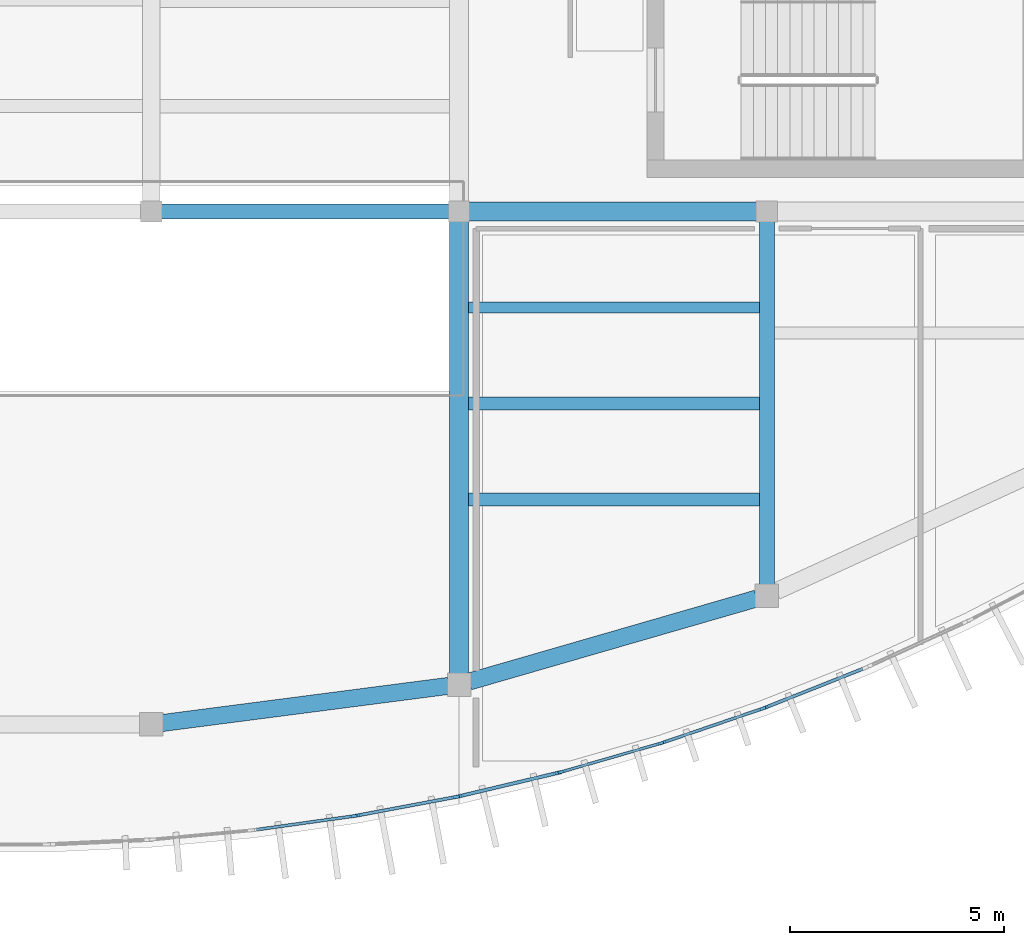
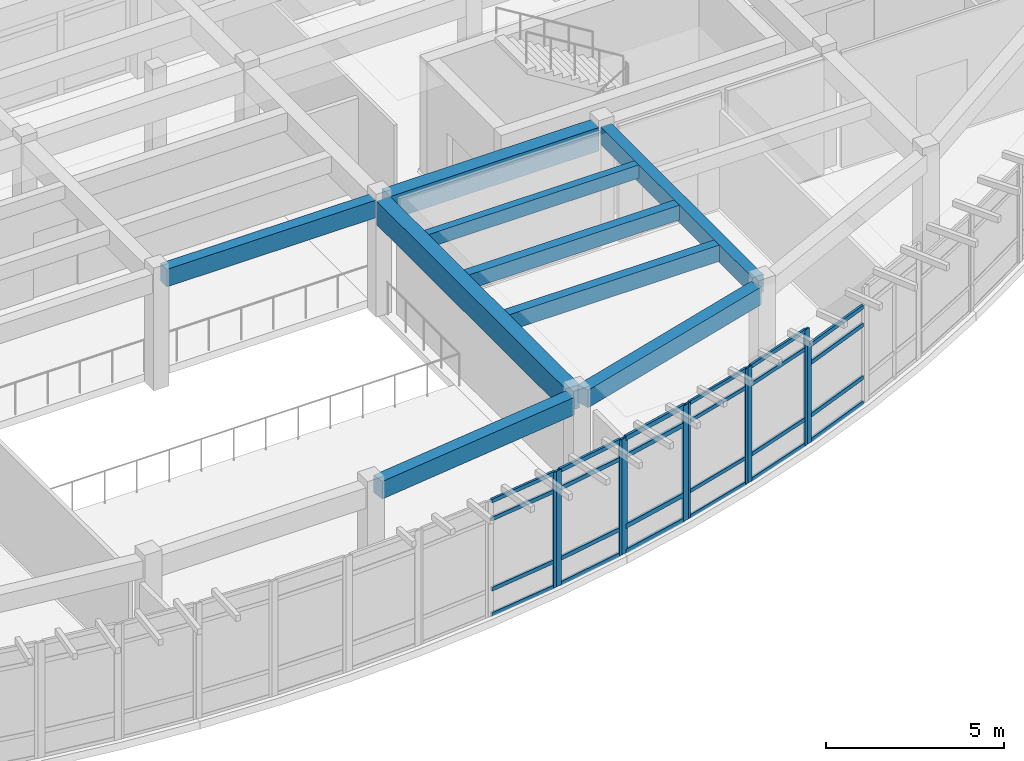
# One storey, part 23 of 60: 34 members, 9 beams, 6 elements without a shape of their own.
"""IFC4 building model written with IfcOpenShell, lengths in metres."""

import ifcopenshell
import ifcopenshell.guid

model = None  # the IFC model being written
_history = None  # IfcOwnerHistory: only IFC2X3 demands one
_inside = {}  # id of a spatial element -> (the spatial element, [elements in it])
_under = {}  # id of a project, library or spatial element -> (it, [spatial elements below it])
_declared = {}  # id of a project -> (the project, [libraries it declares])
_typed = {}  # id of a type object -> (the type object, [elements of that type])
_made_of = {}  # id of a material, layer set ... -> (it, [elements and type objects made of it])


def new_model(schema):
    """Start an empty IFC model of exactly this schema.

    Asked for "IFC4X3", IfcOpenShell would pick the latest addendum, in which some entities
    have other attributes; the version numbers below select the first issue.
    IFC2X3 requires an IfcOwnerHistory on every rooted entity: one is made here for all.
    """
    global model, _history
    if schema == "IFC4X3":
        model = ifcopenshell.file(schema_version=(4, 3, 0, 0))
    else:
        model = ifcopenshell.file(schema=schema)
    _inside.clear()
    _under.clear()
    _declared.clear()
    _typed.clear()
    _made_of.clear()
    _history = None
    if model.schema == "IFC2X3":
        org = make("IfcOrganization", Name="unknown")
        user = make(
            "IfcPersonAndOrganization",
            ThePerson=make("IfcPerson", FamilyName="unknown"),
            TheOrganization=org,
        )
        app = make(
            "IfcApplication",
            ApplicationDeveloper=org,
            Version="unknown",
            ApplicationFullName="unknown",
            ApplicationIdentifier="unknown",
        )
        _history = make(
            "IfcOwnerHistory",
            OwningUser=user,
            OwningApplication=app,
            ChangeAction="ADDED",
            CreationDate=0,
        )
    return model


def make(cls, **values):
    """One entity of the class cls with the attributes given. An attribute that is None is left unset."""
    return model.create_entity(
        cls, **{name: value for name, value in values.items() if value is not None}
    )


def rooted(cls, **values):
    """An entity with a GlobalId (a new one), such as an element, a storey or a relation."""
    return make(cls, GlobalId=ifcopenshell.guid.new(), OwnerHistory=_history, **values)


def si_unit(unit_type, name, prefix=None):
    """IfcSIUnit, for example si_unit("LENGTHUNIT", "METRE", prefix="MILLI")."""
    return make("IfcSIUnit", UnitType=unit_type, Prefix=prefix, Name=name)


def assignment(units):
    """IfcUnitAssignment: the units of a project."""
    return None if units is None else make("IfcUnitAssignment", Units=units)


def point(xyz):
    """IfcCartesianPoint."""
    return None if xyz is None else make("IfcCartesianPoint", Coordinates=xyz)


def direction(xyz):
    """IfcDirection."""
    return None if xyz is None else make("IfcDirection", DirectionRatios=xyz)


def frame(location, z_axis=None, x_axis=None):
    """IfcAxis2Placement3D, a coordinate frame: its origin and axes. An axis left out is left unset."""
    return make(
        "IfcAxis2Placement3D",
        Location=point(location),
        Axis=direction(z_axis),
        RefDirection=direction(x_axis),
    )


def frame_2d(location, x_axis=None):
    """IfcAxis2Placement2D, a coordinate frame in the plane: its origin and x axis."""
    return make(
        "IfcAxis2Placement2D", Location=point(location), RefDirection=direction(x_axis)
    )


def origin():
    """The frame at (0, 0, 0) with its axes left unset."""
    return frame((0.0, 0.0, 0.0))


def origin_2d():
    """The frame at (0, 0) in the plane with its x axis left unset."""
    return frame_2d((0.0, 0.0))


def place(relative_to, where):
    """IfcLocalPlacement: puts the frame where relative to a parent placement (None: the world)."""
    return make(
        "IfcLocalPlacement", PlacementRelTo=relative_to, RelativePlacement=where
    )


def context(
    kind, dimensions, precision=None, world=None, true_north=None, identifier=None
):
    """IfcGeometricRepresentationContext, for example the 3D "Model" context."""
    return make(
        "IfcGeometricRepresentationContext",
        ContextIdentifier=identifier,
        ContextType=kind,
        CoordinateSpaceDimension=dimensions,
        Precision=precision,
        WorldCoordinateSystem=world,
        TrueNorth=true_north,
    )


def subcontext(parent, identifier, kind, view, scale=None):
    """IfcGeometricRepresentationSubContext, for example "Body" below "Model"."""
    return make(
        "IfcGeometricRepresentationSubContext",
        ContextIdentifier=identifier,
        ContextType=kind,
        ParentContext=parent,
        TargetScale=scale,
        TargetView=view,
    )


def project(units=None, contexts=None):
    """IfcProject with its units and contexts."""
    return rooted(
        "IfcProject",
        Name="project",
        RepresentationContexts=contexts,
        UnitsInContext=assignment(units),
    )


def spatial(cls, under=None, at=None, **own):
    """A site, building, storey or space (cls), placed at a placement, below another one or the project."""
    s = rooted(cls, ObjectPlacement=at, **own)
    if under is not None:
        _under.setdefault(under.id(), (under, []))[1].append(s)
    return s


def profile(cls, at=None, kind="AREA", **sizes):
    """A parametric profile (cls). Its sizes go by their IFC names, for example OverallWidth=200.0."""
    return make(cls, ProfileType=kind, Position=at, **sizes)


def rectangle(**sizes):
    """IfcRectangleProfileDef."""
    return profile("IfcRectangleProfileDef", **sizes)


def extrude(swept, where, along, depth):
    """IfcExtrudedAreaSolid: the profile swept, set in the frame where, extruded along a direction by depth."""
    return make(
        "IfcExtrudedAreaSolid",
        SweptArea=swept,
        Position=where,
        ExtrudedDirection=direction(along),
        Depth=depth,
    )


def shape(context_of_items, identifier, shape_type, items):
    """IfcShapeRepresentation: the items that make up one representation, for example the "Body"."""
    return make(
        "IfcShapeRepresentation",
        ContextOfItems=context_of_items,
        RepresentationIdentifier=identifier,
        RepresentationType=shape_type,
        Items=items,
    )


def material(Name=None, Category=None):
    """IfcMaterial."""
    return make("IfcMaterial", Name=Name, Category=Category)


def layer(
    of_material, thickness, ventilated=None, Name=None, Category=None, Priority=None
):
    """IfcMaterialLayer: one layer of a wall or slab, of a material (None: an air gap)."""
    return make(
        "IfcMaterialLayer",
        Material=of_material,
        LayerThickness=thickness,
        IsVentilated=ventilated,
        Name=Name,
        Category=Category,
        Priority=Priority,
    )


def layer_set(layers, Name=None):
    """IfcMaterialLayerSet."""
    return make("IfcMaterialLayerSet", MaterialLayers=layers, LayerSetName=Name)


def material_profile(
    of_material, cross_section, Name=None, Category=None, Priority=None
):
    """IfcMaterialProfile: a cross section and its material."""
    return make(
        "IfcMaterialProfile",
        Name=Name,
        Material=of_material,
        Profile=cross_section,
        Priority=Priority,
        Category=Category,
    )


def profile_set(profiles, Name=None, composite=None):
    """IfcMaterialProfileSet."""
    return make(
        "IfcMaterialProfileSet",
        Name=Name,
        MaterialProfiles=profiles,
        CompositeProfile=composite,
    )


def made_of(thing, what):
    """Note that an element or type object is made of a material, layer set ...; save() writes the relation."""
    if what is not None:
        _made_of.setdefault(what.id(), (what, []))[1].append(thing)
    return thing


def type_object(cls, material=None, **own):
    """A type object (cls), such as IfcWallType, which elements share."""
    return made_of(rooted(cls, **own), material)


def element(
    cls,
    number,
    at=None,
    inside=None,
    cuts=None,
    type_object=None,
    material=None,
    context=None,
    identifier="Body",
    shape_type=None,
    held_by="IfcProductDefinitionShape",
    body=None,
    shapes=None,
    **own,
):
    """One element of the class cls, such as IfcWall. Its Tag is "e" and its number.

    at: its placement. inside: the storey or other place that contains it. cuts: it is an
    opening in that element (IfcRelVoidsElement). A single representation is given by context,
    identifier, shape_type and body (its items); several are given by shapes. held_by: the class
    of the entity that holds the representations. save() writes the other relations.
    """
    e = rooted(cls, Tag="e%d" % number, ObjectPlacement=at, **own)
    if body is not None:
        shapes = [shape(context, identifier, shape_type, body)]
    if shapes is not None:
        e.Representation = make(held_by, Representations=shapes)
    if inside is not None:
        _inside.setdefault(inside.id(), (inside, []))[1].append(e)
    if cuts is not None:
        rooted(
            "IfcRelVoidsElement", RelatingBuildingElement=cuts, RelatedOpeningElement=e
        )
    if type_object is not None:
        _typed.setdefault(type_object.id(), (type_object, []))[1].append(e)
    return made_of(e, material)


def aggregate(whole, parts):
    """IfcRelAggregates: a whole, such as a stair, and the parts it consists of."""
    return rooted("IfcRelAggregates", RelatingObject=whole, RelatedObjects=parts)


def save(model, path):
    """Write the relations noted so far, then the file.

    IfcRelAggregates (storeys below a building ...), IfcRelContainedInSpatialStructure (elements
    in a storey), IfcRelDefinesByType, IfcRelAssociatesMaterial and IfcRelDeclares: one each for
    every whole, place, type object, material and project.
    """
    for whole, parts in _under.values():
        aggregate(whole, parts)
    for where, things in _inside.values():
        rooted(
            "IfcRelContainedInSpatialStructure",
            RelatedElements=things,
            RelatingStructure=where,
        )
    for kind, things in _typed.values():
        rooted("IfcRelDefinesByType", RelatedObjects=things, RelatingType=kind)
    for what, things in _made_of.values():
        rooted("IfcRelAssociatesMaterial", RelatedObjects=things, RelatingMaterial=what)
    for by, libraries in _declared.values():
        rooted("IfcRelDeclares", RelatingContext=by, RelatedDefinitions=libraries)
    model.write(path)


model = new_model("IFC4")

# Units and contexts
model_context = context("Model", 3, precision=1e-05, world=origin(), true_north=direction((0.0, 1.0)))
body_context = subcontext(model_context, "Body", "Model", "MODEL_VIEW")
ifc_project = project(units=[si_unit("LENGTHUNIT", "METRE"), si_unit("AREAUNIT", "SQUARE_METRE"), si_unit("VOLUMEUNIT", "CUBIC_METRE"), si_unit("PLANEANGLEUNIT", "RADIAN"), si_unit("MASSUNIT", "GRAM", prefix="KILO")], contexts=[model_context])

# Site, building, storey
site_placement = place(None, origin())
site = spatial("IfcSite", under=ifc_project, at=site_placement, CompositionType="ELEMENT")
building_placement = place(site_placement, origin())
building = spatial("IfcBuilding", under=site, at=building_placement, Name="Brisavento Harbour Community Centre", CompositionType="ELEMENT")
storey_placement = place(building_placement, frame((0.0, 0.0, 4.5)))
storey = spatial("IfcBuildingStorey", under=building, at=storey_placement, Name="L01", CompositionType="ELEMENT", Elevation=4.5)

# Beams
ifc_material_1 = material(Name="Concrete C35/45", Category="concrete")
ifc_material_profile_1 = material_profile(ifc_material_1, rectangle(XDim=0.25, YDim=0.449951171875, at=origin_2d()), Name="Concrete C35/45")
ifc_profile_set_1 = profile_set([ifc_material_profile_1], Name="Concrete C35/45")
beam_type_1 = type_object("IfcBeamType", Name="BM-JST-250x450", PredefinedType="JOIST", material=ifc_profile_set_1)
beam_1_placement = place(storey_placement, frame((151.425048828125, 12.75390625, 3.72509765625), z_axis=(1.0, 0.0, 0.0), x_axis=(0.0, 1.0, 0.0)))
element("IfcBeam", 1, at=beam_1_placement, inside=storey, type_object=beam_type_1, Name="L01 secondary floor joist 0277", PredefinedType="JOIST", context=body_context, shape_type="SweptSolid", body=[
    extrude(rectangle(XDim=0.25, YDim=0.449951171875, at=origin_2d()), origin(), (0.0, 0.0, 1.0), 6.800048828125),
])
ifc_material_profile_2 = material_profile(ifc_material_1, rectangle(XDim=0.300048828125, YDim=0.5, at=origin_2d()), Name="Concrete C35/45")
ifc_profile_set_2 = profile_set([ifc_material_profile_2], Name="Concrete C35/45")
beam_type_2 = type_object("IfcBeamType", Name="BM-JST-300x500", PredefinedType="JOIST", material=ifc_profile_set_2)
beam_2_placement = place(storey_placement, frame((151.425048828125, 10.507568359375, 3.699951171875), z_axis=(1.0, 0.0, 0.0), x_axis=(0.0, 1.0, 0.0)))
element("IfcBeam", 2, at=beam_2_placement, inside=storey, type_object=beam_type_2, Name="L01 secondary floor joist 0276", PredefinedType="JOIST", context=body_context, shape_type="SweptSolid", body=[
    extrude(rectangle(XDim=0.300048828125, YDim=0.5, at=origin_2d()), origin(), (0.0, 0.0, 1.0), 6.800048828125),
])
ifc_material_profile_3 = material_profile(ifc_material_1, rectangle(XDim=0.300048828125, YDim=0.550048828125, at=origin_2d()), Name="Concrete C35/45")
ifc_profile_set_3 = profile_set([ifc_material_profile_3], Name="Concrete C35/45")
beam_type_3 = type_object("IfcBeamType", Name="BM-JST-300x550", PredefinedType="JOIST", material=ifc_profile_set_3)
beam_3_placement = place(storey_placement, frame((151.425048828125, 8.26123046875, 3.675048828125), z_axis=(1.0, 0.0, 0.0), x_axis=(0.0, 1.0, 0.0)))
element("IfcBeam", 3, at=beam_3_placement, inside=storey, type_object=beam_type_3, Name="L01 secondary floor joist 0275", PredefinedType="JOIST", context=body_context, shape_type="SweptSolid", body=[
    extrude(rectangle(XDim=0.300048828125, YDim=0.550048828125, at=origin_2d()), origin(), (0.0, 0.0, 1.0), 6.800048828125),
])
ifc_material_profile_4 = material_profile(ifc_material_1, rectangle(XDim=0.35009765625, YDim=0.60009765625, at=origin_2d()), Name="Concrete C35/45")
ifc_profile_set_4 = profile_set([ifc_material_profile_4], Name="Concrete C35/45")
beam_type_4 = type_object("IfcBeamType", Name="BM-RC-350x600", PredefinedType="BEAM", material=ifc_profile_set_4)
beam_4_placement = place(storey_placement, frame((144.219970703125, 15.0, 3.64990234375), z_axis=(1.0, 0.0, 0.0), x_axis=(0.0, 1.0, 0.0)))
element("IfcBeam", 4, at=beam_4_placement, inside=storey, type_object=beam_type_4, Name="L01 primary girder X0414", PredefinedType="BEAM", context=body_context, shape_type="SweptSolid", body=[
    extrude(rectangle(XDim=0.35009765625, YDim=0.60009765625, at=origin_2d()), origin(), (0.0, 0.0, 1.0), 6.760009765625),
])
beam_5_placement = place(storey_placement, frame((158.39990234375, 6.260009765625, 3.64990234375), z_axis=(0.0, 1.0, 0.0), x_axis=(-1.0, 0.0, 0.0)))
element("IfcBeam", 5, at=beam_5_placement, inside=storey, type_object=beam_type_4, Name="L01 primary girder Y0524", PredefinedType="BEAM", context=body_context, shape_type="SweptSolid", body=[
    extrude(rectangle(XDim=0.35009765625, YDim=0.60009765625, at=origin_2d()), origin(), (0.0, 0.0, 1.0), 8.52001953125),
])
ifc_material_profile_5 = material_profile(ifc_material_1, rectangle(XDim=0.449951171875, YDim=0.800048828125, at=origin_2d()), Name="Concrete C35/45")
ifc_profile_set_5 = profile_set([ifc_material_profile_5], Name="Concrete C35/45")
beam_type_5 = type_object("IfcBeamType", Name="BM-RC-450x800", PredefinedType="BEAM", material=ifc_profile_set_5)
beam_6_placement = place(storey_placement, frame((151.419921875, 15.0, 3.550048828125), z_axis=(1.0, 0.0, 0.0), x_axis=(0.0, 1.0, 0.0)))
element("IfcBeam", 6, at=beam_6_placement, inside=storey, type_object=beam_type_5, Name="L01 primary girder X0415", PredefinedType="BEAM", context=body_context, shape_type="SweptSolid", body=[
    extrude(rectangle(XDim=0.449951171875, YDim=0.800048828125, at=origin_2d()), origin(), (0.0, 0.0, 1.0), 6.760009765625),
])
beam_7_placement = place(storey_placement, frame((151.199951171875, 4.178955078125, 3.550048828125), z_axis=(0.0, 1.0, 0.0), x_axis=(-1.0, 0.0, 0.0)))
element("IfcBeam", 7, at=beam_7_placement, inside=storey, type_object=beam_type_5, Name="L01 primary girder Y0520", PredefinedType="BEAM", context=body_context, shape_type="SweptSolid", body=[
    extrude(rectangle(XDim=0.449951171875, YDim=0.800048828125, at=origin_2d()), origin(), (0.0, 0.0, 1.0), 10.60107421875),
])
ifc_material_profile_6 = material_profile(ifc_material_1, rectangle(XDim=0.39990234375, YDim=0.60009765625, at=origin_2d()), Name="Concrete C35/45")
ifc_profile_set_6 = profile_set([ifc_material_profile_6], Name="Concrete C35/45")
beam_type_6 = type_object("IfcBeamType", Name="BM-SPN-400x600", PredefinedType="SPANDREL", material=ifc_profile_set_6)
beam_8_placement = place(storey_placement, frame((144.242919921875, 3.031494140625, 3.64990234375), z_axis=(0.991688453726, 0.128662390564, 0.0), x_axis=(-0.128662390564, 0.991688453726, 0.0)))
element("IfcBeam", 8, at=beam_8_placement, inside=storey, type_object=beam_type_6, Name="L01 curved perimeter spandrel 0540", PredefinedType="SPANDREL", context=body_context, shape_type="SweptSolid", body=[
    extrude(rectangle(XDim=0.39990234375, YDim=0.60009765625, at=origin_2d()), origin(), (0.0, 0.0, 1.0), 6.770263671875),
])
beam_9_placement = place(storey_placement, frame((151.435302734375, 4.001953125, 3.64990234375), z_axis=(0.960673695261, 0.277679763819, 0.0), x_axis=(-0.277679763819, 0.960673695261, 0.0)))
element("IfcBeam", 9, at=beam_9_placement, inside=storey, type_object=beam_type_6, Name="L01 curved perimeter spandrel 0541", PredefinedType="SPANDREL", context=body_context, shape_type="SweptSolid", body=[
    extrude(rectangle(XDim=0.39990234375, YDim=0.60009765625, at=origin_2d()), origin(), (0.0, 0.0, 1.0), 7.004638671875),
])

# Curtain wall, members
ifc_material_2 = material(Name="Marine-anodised aluminium AW-6063-T6", Category="aluminium")
ifc_layer_1 = layer(ifc_material_2, 0.179931640625, Name="Marine-anodised aluminium AW-6063-T6")
ifc_layer_set_1 = layer_set([ifc_layer_1], Name="Marine-anodised aluminium AW-6063-T6")
curtain_wall_type_1 = type_object("IfcCurtainWallType", Name="CW-SYS-21", PredefinedType="USERDEFINED", material=ifc_layer_set_1)
curtain_wall_1_placement = place(storey_placement, origin())
curtain_wall_1 = element("IfcCurtainWall", 10, at=curtain_wall_1_placement, inside=storey, type_object=curtain_wall_type_1, Name="L01 V3 unitised curtain wall 077", ObjectType="UNITISED CURTAIN WALL", PredefinedType="USERDEFINED")
ifc_material_profile_7 = material_profile(ifc_material_2, rectangle(XDim=0.06494140625, YDim=0.1650390625, at=origin_2d()), Name="Marine-anodised aluminium AW-6063-T6")
ifc_profile_set_7 = profile_set([ifc_material_profile_7], Name="Marine-anodised aluminium AW-6063-T6")
member_type_1 = type_object("IfcMemberType", Name="CWM-01", PredefinedType="MULLION", material=ifc_profile_set_7)
member_1_placement = place(storey_placement, frame((155.901611328125, 2.55419921875, 0.0), z_axis=(0.0, 0.0, 1.0), x_axis=(0.277000545402, -0.960869761126, 0.0)))
member_1 = element("IfcMember", 11, at=member_1_placement, type_object=member_type_1, Name="CW-21 mullion 1", PredefinedType="MULLION", context=body_context, shape_type="SweptSolid", body=[
    extrude(rectangle(XDim=0.06494140625, YDim=0.1650390625, at=origin_2d()), origin(), (0.0, 0.0, 1.0), 3.949951171875),
])
member_2_placement = place(storey_placement, frame((153.5986328125, 1.89013671875, 0.0), z_axis=(0.0, 0.0, 1.0), x_axis=(0.277000545402, -0.960869761126, 0.0)))
member_2 = element("IfcMember", 12, at=member_2_placement, type_object=member_type_1, Name="CW-21 mullion 2", PredefinedType="MULLION", context=body_context, shape_type="SweptSolid", body=[
    extrude(rectangle(XDim=0.06494140625, YDim=0.1650390625, at=origin_2d()), origin(), (0.0, 0.0, 1.0), 3.949951171875),
])

# Curtain wall, member
ifc_layer_2 = layer(ifc_material_2, 0.179931640625, Name="Marine-anodised aluminium AW-6063-T6")
ifc_layer_set_2 = layer_set([ifc_layer_2], Name="Marine-anodised aluminium AW-6063-T6")
curtain_wall_type_2 = type_object("IfcCurtainWallType", Name="CW-SYS-18", PredefinedType="USERDEFINED", material=ifc_layer_set_2)
curtain_wall_2_placement = place(storey_placement, origin())
curtain_wall_2 = element("IfcCurtainWall", 13, at=curtain_wall_2_placement, inside=storey, type_object=curtain_wall_type_2, Name="L01 V3 unitised curtain wall 074", ObjectType="UNITISED CURTAIN WALL", PredefinedType="USERDEFINED")
ifc_material_profile_8 = material_profile(ifc_material_2, rectangle(XDim=0.070068359375, YDim=0.179931640625, at=origin_2d()), Name="Marine-anodised aluminium AW-6063-T6")
ifc_profile_set_8 = profile_set([ifc_material_profile_8], Name="Marine-anodised aluminium AW-6063-T6")
member_type_2 = type_object("IfcMemberType", Name="CWM-02", PredefinedType="MULLION", material=ifc_profile_set_8)
member_3_placement = place(storey_placement, frame((148.72265625, 0.853759765625, 0.0), z_axis=(0.0, 0.0, 1.0), x_axis=(0.138476944024, -0.990365657711, 0.0)))
member_3 = element("IfcMember", 14, at=member_3_placement, type_object=member_type_2, Name="CW-18 mullion 1", PredefinedType="MULLION", context=body_context, shape_type="SweptSolid", body=[
    extrude(rectangle(XDim=0.070068359375, YDim=0.179931640625, at=origin_2d()), origin(), (0.0, 0.0, 1.0), 3.949951171875),
])

# Curtain wall, members
ifc_layer_3 = layer(ifc_material_2, 0.179931640625, Name="Marine-anodised aluminium AW-6063-T6")
ifc_layer_set_3 = layer_set([ifc_layer_3], Name="Marine-anodised aluminium AW-6063-T6")
curtain_wall_type_3 = type_object("IfcCurtainWallType", Name="CW-SYS-22", PredefinedType="USERDEFINED", material=ifc_layer_set_3)
curtain_wall_3_placement = place(storey_placement, origin())
curtain_wall_3 = element("IfcCurtainWall", 15, at=curtain_wall_3_placement, inside=storey, type_object=curtain_wall_type_3, Name="L01 V3 unitised curtain wall 078", ObjectType="UNITISED CURTAIN WALL", PredefinedType="USERDEFINED")
member_4_placement = place(storey_placement, frame((158.291748046875, 3.367919921875, 0.0), z_axis=(0.0, 0.0, 1.0), x_axis=(0.32317880016, -0.94633792227, 0.0)))
member_4 = element("IfcMember", 16, at=member_4_placement, type_object=member_type_2, Name="CW-22 mullion 1", PredefinedType="MULLION", context=body_context, shape_type="SweptSolid", body=[
    extrude(rectangle(XDim=0.070068359375, YDim=0.179931640625, at=origin_2d()), origin(), (0.0, 0.0, 1.0), 3.949951171875),
])
member_5_placement = place(storey_placement, frame((155.991943359375, 2.58251953125, 0.0), z_axis=(0.0, 0.0, 1.0), x_axis=(0.32317880016, -0.94633792227, 0.0)))
member_5 = element("IfcMember", 17, at=member_5_placement, type_object=member_type_2, Name="CW-22 mullion 2", PredefinedType="MULLION", context=body_context, shape_type="SweptSolid", body=[
    extrude(rectangle(XDim=0.070068359375, YDim=0.179931640625, at=origin_2d()), origin(), (0.0, 0.0, 1.0), 3.949951171875),
])

ifc_layer_4 = layer(ifc_material_2, 0.179931640625, Name="Marine-anodised aluminium AW-6063-T6")
ifc_layer_set_4 = layer_set([ifc_layer_4], Name="Marine-anodised aluminium AW-6063-T6")
curtain_wall_type_4 = type_object("IfcCurtainWallType", Name="CW-SYS-19", PredefinedType="USERDEFINED", material=ifc_layer_set_4)
curtain_wall_4_placement = place(storey_placement, origin())
curtain_wall_4 = element("IfcCurtainWall", 18, at=curtain_wall_4_placement, inside=storey, type_object=curtain_wall_type_4, Name="L01 V3 unitised curtain wall 075", ObjectType="UNITISED CURTAIN WALL", PredefinedType="USERDEFINED")
ifc_material_profile_9 = material_profile(ifc_material_2, rectangle(XDim=0.074951171875, YDim=0.18994140625, at=origin_2d()), Name="Marine-anodised aluminium AW-6063-T6")
ifc_profile_set_9 = profile_set([ifc_material_profile_9], Name="Marine-anodised aluminium AW-6063-T6")
member_type_3 = type_object("IfcMemberType", Name="CWM-03", PredefinedType="MULLION", material=ifc_profile_set_9)
member_6_placement = place(storey_placement, frame((151.1123046875, 1.300537109375, 0.0), z_axis=(0.0, 0.0, 1.0), x_axis=(0.184664942245, -0.98280153597, 0.0)))
member_6 = element("IfcMember", 19, at=member_6_placement, type_object=member_type_3, Name="CW-19 mullion 1", PredefinedType="MULLION", context=body_context, shape_type="SweptSolid", body=[
    extrude(rectangle(XDim=0.074951171875, YDim=0.18994140625, at=origin_2d()), origin(), (0.0, 0.0, 1.0), 3.949951171875),
])
member_7_placement = place(storey_placement, frame((148.8212890625, 0.8701171875, 0.0), z_axis=(0.0, 0.0, 1.0), x_axis=(0.184664942245, -0.98280153597, 0.0)))
member_7 = element("IfcMember", 20, at=member_7_placement, type_object=member_type_3, Name="CW-19 mullion 2", PredefinedType="MULLION", context=body_context, shape_type="SweptSolid", body=[
    extrude(rectangle(XDim=0.074951171875, YDim=0.18994140625, at=origin_2d()), origin(), (0.0, 0.0, 1.0), 3.949951171875),
])

# Curtain wall, member
ifc_layer_5 = layer(ifc_material_2, 0.179931640625, Name="Marine-anodised aluminium AW-6063-T6")
ifc_layer_set_5 = layer_set([ifc_layer_5], Name="Marine-anodised aluminium AW-6063-T6")
curtain_wall_type_5 = type_object("IfcCurtainWallType", Name="CW-SYS-23", PredefinedType="USERDEFINED", material=ifc_layer_set_5)
curtain_wall_5_placement = place(storey_placement, origin())
curtain_wall_5 = element("IfcCurtainWall", 21, at=curtain_wall_5_placement, inside=storey, type_object=curtain_wall_type_5, Name="L01 V3 unitised curtain wall 079", ObjectType="UNITISED CURTAIN WALL", PredefinedType="USERDEFINED")
member_8_placement = place(storey_placement, frame((158.385009765625, 3.40234375, 0.0), z_axis=(0.0, 0.0, 1.0), x_axis=(0.369379094613, -0.929278798027, 0.0)))
member_8 = element("IfcMember", 22, at=member_8_placement, type_object=member_type_3, Name="CW-23 mullion 2", PredefinedType="MULLION", context=body_context, shape_type="SweptSolid", body=[
    extrude(rectangle(XDim=0.074951171875, YDim=0.18994140625, at=origin_2d()), origin(), (0.0, 0.0, 1.0), 3.35009765625),
])

# Curtain wall, members
ifc_layer_6 = layer(ifc_material_2, 0.179931640625, Name="Marine-anodised aluminium AW-6063-T6")
ifc_layer_set_6 = layer_set([ifc_layer_6], Name="Marine-anodised aluminium AW-6063-T6")
curtain_wall_type_6 = type_object("IfcCurtainWallType", Name="CW-SYS-20", PredefinedType="USERDEFINED", material=ifc_layer_set_6)
curtain_wall_6_placement = place(storey_placement, origin())
curtain_wall_6 = element("IfcCurtainWall", 23, at=curtain_wall_6_placement, inside=storey, type_object=curtain_wall_type_6, Name="L01 V3 unitised curtain wall 076", ObjectType="UNITISED CURTAIN WALL", PredefinedType="USERDEFINED")
ifc_material_profile_10 = material_profile(ifc_material_2, rectangle(XDim=0.080078125, YDim=0.2099609375, at=origin_2d()), Name="Marine-anodised aluminium AW-6063-T6")
ifc_profile_set_10 = profile_set([ifc_material_profile_10], Name="Marine-anodised aluminium AW-6063-T6")
member_type_4 = type_object("IfcMemberType", Name="CWM-04", PredefinedType="MULLION", material=ifc_profile_set_10)
member_9_placement = place(storey_placement, frame((153.501953125, 1.864990234375, 0.0), z_axis=(0.0, 0.0, 1.0), x_axis=(0.230804675748, -0.973000103624, 0.0)))
member_9 = element("IfcMember", 24, at=member_9_placement, type_object=member_type_4, Name="CW-20 mullion 1", PredefinedType="MULLION", context=body_context, shape_type="SweptSolid", body=[
    extrude(rectangle(XDim=0.080078125, YDim=0.2099609375, at=origin_2d()), origin(), (0.0, 0.0, 1.0), 3.949951171875),
])
member_10_placement = place(storey_placement, frame((151.21484375, 1.322509765625, 0.0), z_axis=(0.0, 0.0, 1.0), x_axis=(0.230804675748, -0.973000103624, 0.0)))
member_10 = element("IfcMember", 25, at=member_10_placement, type_object=member_type_4, Name="CW-20 mullion 2", PredefinedType="MULLION", context=body_context, shape_type="SweptSolid", body=[
    extrude(rectangle(XDim=0.080078125, YDim=0.2099609375, at=origin_2d()), origin(), (0.0, 0.0, 1.0), 3.949951171875),
])

# Member
ifc_material_profile_11 = material_profile(ifc_material_2, rectangle(XDim=0.06494140625, YDim=0.125, at=origin_2d()), Name="Marine-anodised aluminium AW-6063-T6")
ifc_profile_set_11 = profile_set([ifc_material_profile_11], Name="Marine-anodised aluminium AW-6063-T6")
member_type_5 = type_object("IfcMemberType", Name="CWT-01", PredefinedType="USERDEFINED", material=ifc_profile_set_11)
member_11_placement = place(storey_placement, frame((155.870361328125, 2.545166015625, 0.032470703125), z_axis=(-0.960857364899, -0.277043542282, 0.0), x_axis=(0.277043542282, -0.960857364899, 0.0)))
member_11 = element("IfcMember", 26, at=member_11_placement, type_object=member_type_5, Name="CW-21 transom 1.1", ObjectType="TRANSOM", PredefinedType="USERDEFINED", context=body_context, shape_type="SweptSolid", body=[
    extrude(rectangle(XDim=0.06494140625, YDim=0.125, at=origin_2d()), origin(), (0.0, 0.0, 1.0), 2.331787109375),
])

member_12_placement = place(storey_placement, frame((155.870361328125, 2.545166015625, 0.89990234375), z_axis=(-0.960857364899, -0.277043542282, 0.0), x_axis=(0.277043542282, -0.960857364899, 0.0)))
member_12 = element("IfcMember", 27, at=member_12_placement, type_object=member_type_5, Name="CW-21 transom 1.2", ObjectType="TRANSOM", PredefinedType="USERDEFINED", context=body_context, shape_type="SweptSolid", body=[
    extrude(rectangle(XDim=0.06494140625, YDim=0.125, at=origin_2d()), origin(), (0.0, 0.0, 1.0), 2.331787109375),
])

member_13_placement = place(storey_placement, frame((155.870361328125, 2.545166015625, 3.300048828125), z_axis=(-0.960857364899, -0.277043542282, 0.0), x_axis=(0.277043542282, -0.960857364899, 0.0)))
member_13 = element("IfcMember", 28, at=member_13_placement, type_object=member_type_5, Name="CW-21 transom 1.3", ObjectType="TRANSOM", PredefinedType="USERDEFINED", context=body_context, shape_type="SweptSolid", body=[
    extrude(rectangle(XDim=0.06494140625, YDim=0.125, at=origin_2d()), origin(), (0.0, 0.0, 1.0), 2.331787109375),
])

member_14_placement = place(storey_placement, frame((155.870361328125, 2.545166015625, 3.91748046875), z_axis=(-0.960857364899, -0.277043542282, 0.0), x_axis=(0.277043542282, -0.960857364899, 0.0)))
member_14 = element("IfcMember", 29, at=member_14_placement, type_object=member_type_5, Name="CW-21 transom 1.4", ObjectType="TRANSOM", PredefinedType="USERDEFINED", context=body_context, shape_type="SweptSolid", body=[
    extrude(rectangle(XDim=0.06494140625, YDim=0.125, at=origin_2d()), origin(), (0.0, 0.0, 1.0), 2.331787109375),
])

aggregate(curtain_wall_1, [member_1, member_2, member_11, member_12, member_13, member_14])

ifc_material_profile_12 = material_profile(ifc_material_2, rectangle(XDim=0.070068359375, YDim=0.132080078125, at=origin_2d()), Name="Marine-anodised aluminium AW-6063-T6")
ifc_profile_set_12 = profile_set([ifc_material_profile_12], Name="Marine-anodised aluminium AW-6063-T6")
member_type_6 = type_object("IfcMemberType", Name="CWT-02", PredefinedType="USERDEFINED", material=ifc_profile_set_12)
member_15_placement = place(storey_placement, frame((148.68798828125, 0.84912109375, 0.034912109375), z_axis=(-0.990362319271, -0.13850081793, 0.0), x_axis=(0.13850081793, -0.990362319271, 0.0)))
member_15 = element("IfcMember", 30, at=member_15_placement, type_object=member_type_6, Name="CW-18 transom 1.1", ObjectType="TRANSOM", PredefinedType="USERDEFINED", context=body_context, shape_type="SweptSolid", body=[
    extrude(rectangle(XDim=0.070068359375, YDim=0.132080078125, at=origin_2d()), origin(), (0.0, 0.0, 1.0), 2.24755859375),
])

member_16_placement = place(storey_placement, frame((148.68798828125, 0.84912109375, 0.89990234375), z_axis=(-0.990362319271, -0.13850081793, 0.0), x_axis=(0.13850081793, -0.990362319271, 0.0)))
member_16 = element("IfcMember", 31, at=member_16_placement, type_object=member_type_6, Name="CW-18 transom 1.2", ObjectType="TRANSOM", PredefinedType="USERDEFINED", context=body_context, shape_type="SweptSolid", body=[
    extrude(rectangle(XDim=0.070068359375, YDim=0.132080078125, at=origin_2d()), origin(), (0.0, 0.0, 1.0), 2.24755859375),
])

member_17_placement = place(storey_placement, frame((148.68798828125, 0.84912109375, 3.300048828125), z_axis=(-0.990362319271, -0.13850081793, 0.0), x_axis=(0.13850081793, -0.990362319271, 0.0)))
member_17 = element("IfcMember", 32, at=member_17_placement, type_object=member_type_6, Name="CW-18 transom 1.3", ObjectType="TRANSOM", PredefinedType="USERDEFINED", context=body_context, shape_type="SweptSolid", body=[
    extrude(rectangle(XDim=0.070068359375, YDim=0.132080078125, at=origin_2d()), origin(), (0.0, 0.0, 1.0), 2.24755859375),
])

member_18_placement = place(storey_placement, frame((148.68798828125, 0.84912109375, 3.9150390625), z_axis=(-0.990362319271, -0.13850081793, 0.0), x_axis=(0.13850081793, -0.990362319271, 0.0)))
member_18 = element("IfcMember", 33, at=member_18_placement, type_object=member_type_6, Name="CW-18 transom 1.4", ObjectType="TRANSOM", PredefinedType="USERDEFINED", context=body_context, shape_type="SweptSolid", body=[
    extrude(rectangle(XDim=0.070068359375, YDim=0.132080078125, at=origin_2d()), origin(), (0.0, 0.0, 1.0), 2.24755859375),
])

aggregate(curtain_wall_2, [member_3, member_15, member_16, member_17, member_18])

member_19_placement = place(storey_placement, frame((158.258544921875, 3.356689453125, 0.034912109375), z_axis=(-0.946340596632, -0.323170968942, 0.0), x_axis=(0.323170968942, -0.946340596632, 0.0)))
member_19 = element("IfcMember", 34, at=member_19_placement, type_object=member_type_6, Name="CW-22 transom 1.1", ObjectType="TRANSOM", PredefinedType="USERDEFINED", context=body_context, shape_type="SweptSolid", body=[
    extrude(rectangle(XDim=0.070068359375, YDim=0.132080078125, at=origin_2d()), origin(), (0.0, 0.0, 1.0), 2.360107421875),
])

member_20_placement = place(storey_placement, frame((158.258544921875, 3.356689453125, 0.89990234375), z_axis=(-0.946340596632, -0.323170968942, 0.0), x_axis=(0.323170968942, -0.946340596632, 0.0)))
member_20 = element("IfcMember", 35, at=member_20_placement, type_object=member_type_6, Name="CW-22 transom 1.2", ObjectType="TRANSOM", PredefinedType="USERDEFINED", context=body_context, shape_type="SweptSolid", body=[
    extrude(rectangle(XDim=0.070068359375, YDim=0.132080078125, at=origin_2d()), origin(), (0.0, 0.0, 1.0), 2.360107421875),
])

member_21_placement = place(storey_placement, frame((158.258544921875, 3.356689453125, 3.300048828125), z_axis=(-0.946340596632, -0.323170968942, 0.0), x_axis=(0.323170968942, -0.946340596632, 0.0)))
member_21 = element("IfcMember", 36, at=member_21_placement, type_object=member_type_6, Name="CW-22 transom 1.3", ObjectType="TRANSOM", PredefinedType="USERDEFINED", context=body_context, shape_type="SweptSolid", body=[
    extrude(rectangle(XDim=0.070068359375, YDim=0.132080078125, at=origin_2d()), origin(), (0.0, 0.0, 1.0), 2.360107421875),
])

member_22_placement = place(storey_placement, frame((158.258544921875, 3.356689453125, 3.9150390625), z_axis=(-0.946340596632, -0.323170968942, 0.0), x_axis=(0.323170968942, -0.946340596632, 0.0)))
member_22 = element("IfcMember", 37, at=member_22_placement, type_object=member_type_6, Name="CW-22 transom 1.4", ObjectType="TRANSOM", PredefinedType="USERDEFINED", context=body_context, shape_type="SweptSolid", body=[
    extrude(rectangle(XDim=0.070068359375, YDim=0.132080078125, at=origin_2d()), origin(), (0.0, 0.0, 1.0), 2.360107421875),
])

aggregate(curtain_wall_3, [member_4, member_5, member_19, member_20, member_21, member_22])

ifc_material_profile_13 = material_profile(ifc_material_2, rectangle(XDim=0.074951171875, YDim=0.139892578125, at=origin_2d()), Name="Marine-anodised aluminium AW-6063-T6")
ifc_profile_set_13 = profile_set([ifc_material_profile_13], Name="Marine-anodised aluminium AW-6063-T6")
member_type_7 = type_object("IfcMemberType", Name="CWT-03", PredefinedType="USERDEFINED", material=ifc_profile_set_13)
member_23_placement = place(storey_placement, frame((151.075439453125, 1.293701171875, 0.03759765625), z_axis=(-0.982791238789, -0.184719736249, 0.0), x_axis=(0.184719736249, -0.982791238789, 0.0)))
member_23 = element("IfcMember", 38, at=member_23_placement, type_object=member_type_7, Name="CW-19 transom 1.1", ObjectType="TRANSOM", PredefinedType="USERDEFINED", context=body_context, shape_type="SweptSolid", body=[
    extrude(rectangle(XDim=0.074951171875, YDim=0.139892578125, at=origin_2d()), origin(), (0.0, 0.0, 1.0), 2.256103515625),
])

member_24_placement = place(storey_placement, frame((151.075439453125, 1.293701171875, 0.89990234375), z_axis=(-0.982791238789, -0.184719736249, 0.0), x_axis=(0.184719736249, -0.982791238789, 0.0)))
member_24 = element("IfcMember", 39, at=member_24_placement, type_object=member_type_7, Name="CW-19 transom 1.2", ObjectType="TRANSOM", PredefinedType="USERDEFINED", context=body_context, shape_type="SweptSolid", body=[
    extrude(rectangle(XDim=0.074951171875, YDim=0.139892578125, at=origin_2d()), origin(), (0.0, 0.0, 1.0), 2.256103515625),
])

member_25_placement = place(storey_placement, frame((151.075439453125, 1.293701171875, 3.300048828125), z_axis=(-0.982791238789, -0.184719736249, 0.0), x_axis=(0.184719736249, -0.982791238789, 0.0)))
member_25 = element("IfcMember", 40, at=member_25_placement, type_object=member_type_7, Name="CW-19 transom 1.3", ObjectType="TRANSOM", PredefinedType="USERDEFINED", context=body_context, shape_type="SweptSolid", body=[
    extrude(rectangle(XDim=0.074951171875, YDim=0.139892578125, at=origin_2d()), origin(), (0.0, 0.0, 1.0), 2.256103515625),
])

member_26_placement = place(storey_placement, frame((151.075439453125, 1.293701171875, 3.91259765625), z_axis=(-0.982791238789, -0.184719736249, 0.0), x_axis=(0.184719736249, -0.982791238789, 0.0)))
member_26 = element("IfcMember", 41, at=member_26_placement, type_object=member_type_7, Name="CW-19 transom 1.4", ObjectType="TRANSOM", PredefinedType="USERDEFINED", context=body_context, shape_type="SweptSolid", body=[
    extrude(rectangle(XDim=0.074951171875, YDim=0.139892578125, at=origin_2d()), origin(), (0.0, 0.0, 1.0), 2.256103515625),
])

aggregate(curtain_wall_4, [member_6, member_7, member_23, member_24, member_25, member_26])

member_27_placement = place(storey_placement, frame((160.647216796875, 4.301513671875, 0.03759765625), z_axis=(-0.929289353883, -0.369352537233, 0.0), x_axis=(0.369352537233, -0.929289353883, 0.0)))
member_27 = element("IfcMember", 42, at=member_27_placement, type_object=member_type_7, Name="CW-23 transom 1.1", ObjectType="TRANSOM", PredefinedType="USERDEFINED", context=body_context, shape_type="SweptSolid", body=[
    extrude(rectangle(XDim=0.074951171875, YDim=0.139892578125, at=origin_2d()), origin(), (0.0, 0.0, 1.0), 2.396728515625),
])

member_28_placement = place(storey_placement, frame((160.647216796875, 4.301513671875, 0.89990234375), z_axis=(-0.929289353883, -0.369352537233, 0.0), x_axis=(0.369352537233, -0.929289353883, 0.0)))
member_28 = element("IfcMember", 43, at=member_28_placement, type_object=member_type_7, Name="CW-23 transom 1.2", ObjectType="TRANSOM", PredefinedType="USERDEFINED", context=body_context, shape_type="SweptSolid", body=[
    extrude(rectangle(XDim=0.074951171875, YDim=0.139892578125, at=origin_2d()), origin(), (0.0, 0.0, 1.0), 2.396728515625),
])

member_29_placement = place(storey_placement, frame((160.647216796875, 4.301513671875, 2.699951171875), z_axis=(-0.929289353883, -0.369352537233, 0.0), x_axis=(0.369352537233, -0.929289353883, 0.0)))
member_29 = element("IfcMember", 44, at=member_29_placement, type_object=member_type_7, Name="CW-23 transom 1.3", ObjectType="TRANSOM", PredefinedType="USERDEFINED", context=body_context, shape_type="SweptSolid", body=[
    extrude(rectangle(XDim=0.074951171875, YDim=0.139892578125, at=origin_2d()), origin(), (0.0, 0.0, 1.0), 2.396728515625),
])

member_30_placement = place(storey_placement, frame((160.647216796875, 4.301513671875, 3.3125), z_axis=(-0.929289353883, -0.369352537233, 0.0), x_axis=(0.369352537233, -0.929289353883, 0.0)))
member_30 = element("IfcMember", 45, at=member_30_placement, type_object=member_type_7, Name="CW-23 transom 1.4", ObjectType="TRANSOM", PredefinedType="USERDEFINED", context=body_context, shape_type="SweptSolid", body=[
    extrude(rectangle(XDim=0.074951171875, YDim=0.139892578125, at=origin_2d()), origin(), (0.0, 0.0, 1.0), 2.396728515625),
])

aggregate(curtain_wall_5, [member_8, member_27, member_28, member_29, member_30])

ifc_material_profile_14 = material_profile(ifc_material_2, rectangle(XDim=0.080078125, YDim=0.155029296875, at=origin_2d()), Name="Marine-anodised aluminium AW-6063-T6")
ifc_profile_set_14 = profile_set([ifc_material_profile_14], Name="Marine-anodised aluminium AW-6063-T6")
member_type_8 = type_object("IfcMemberType", Name="CWT-04", PredefinedType="USERDEFINED", material=ifc_profile_set_14)
member_31_placement = place(storey_placement, frame((153.463134765625, 1.855712890625, 0.0400390625), z_axis=(-0.972993926765, -0.230830713897, 0.0), x_axis=(0.230830713897, -0.972993926765, 0.0)))
member_31 = element("IfcMember", 46, at=member_31_placement, type_object=member_type_8, Name="CW-20 transom 1.1", ObjectType="TRANSOM", PredefinedType="USERDEFINED", context=body_context, shape_type="SweptSolid", body=[
    extrude(rectangle(XDim=0.080078125, YDim=0.155029296875, at=origin_2d()), origin(), (0.0, 0.0, 1.0), 2.270751953125),
])

member_32_placement = place(storey_placement, frame((153.463134765625, 1.855712890625, 0.89990234375), z_axis=(-0.972993926765, -0.230830713897, 0.0), x_axis=(0.230830713897, -0.972993926765, 0.0)))
member_32 = element("IfcMember", 47, at=member_32_placement, type_object=member_type_8, Name="CW-20 transom 1.2", ObjectType="TRANSOM", PredefinedType="USERDEFINED", context=body_context, shape_type="SweptSolid", body=[
    extrude(rectangle(XDim=0.080078125, YDim=0.155029296875, at=origin_2d()), origin(), (0.0, 0.0, 1.0), 2.270751953125),
])

member_33_placement = place(storey_placement, frame((153.463134765625, 1.855712890625, 3.300048828125), z_axis=(-0.972993926765, -0.230830713897, 0.0), x_axis=(0.230830713897, -0.972993926765, 0.0)))
member_33 = element("IfcMember", 48, at=member_33_placement, type_object=member_type_8, Name="CW-20 transom 1.3", ObjectType="TRANSOM", PredefinedType="USERDEFINED", context=body_context, shape_type="SweptSolid", body=[
    extrude(rectangle(XDim=0.080078125, YDim=0.155029296875, at=origin_2d()), origin(), (0.0, 0.0, 1.0), 2.270751953125),
])

member_34_placement = place(storey_placement, frame((153.463134765625, 1.855712890625, 3.909912109375), z_axis=(-0.972993926765, -0.230830713897, 0.0), x_axis=(0.230830713897, -0.972993926765, 0.0)))
member_34 = element("IfcMember", 49, at=member_34_placement, type_object=member_type_8, Name="CW-20 transom 1.4", ObjectType="TRANSOM", PredefinedType="USERDEFINED", context=body_context, shape_type="SweptSolid", body=[
    extrude(rectangle(XDim=0.080078125, YDim=0.155029296875, at=origin_2d()), origin(), (0.0, 0.0, 1.0), 2.270751953125),
])

aggregate(curtain_wall_6, [member_9, member_10, member_31, member_32, member_33, member_34])

save(model, "model.ifc")
